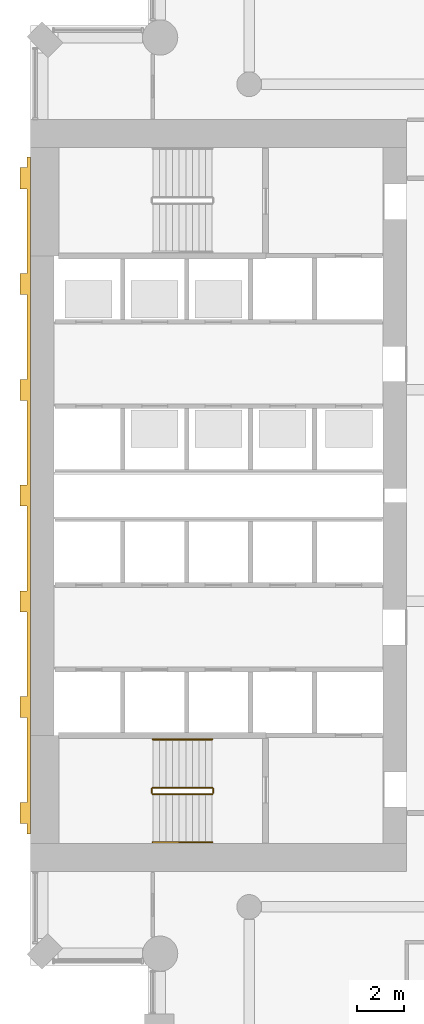
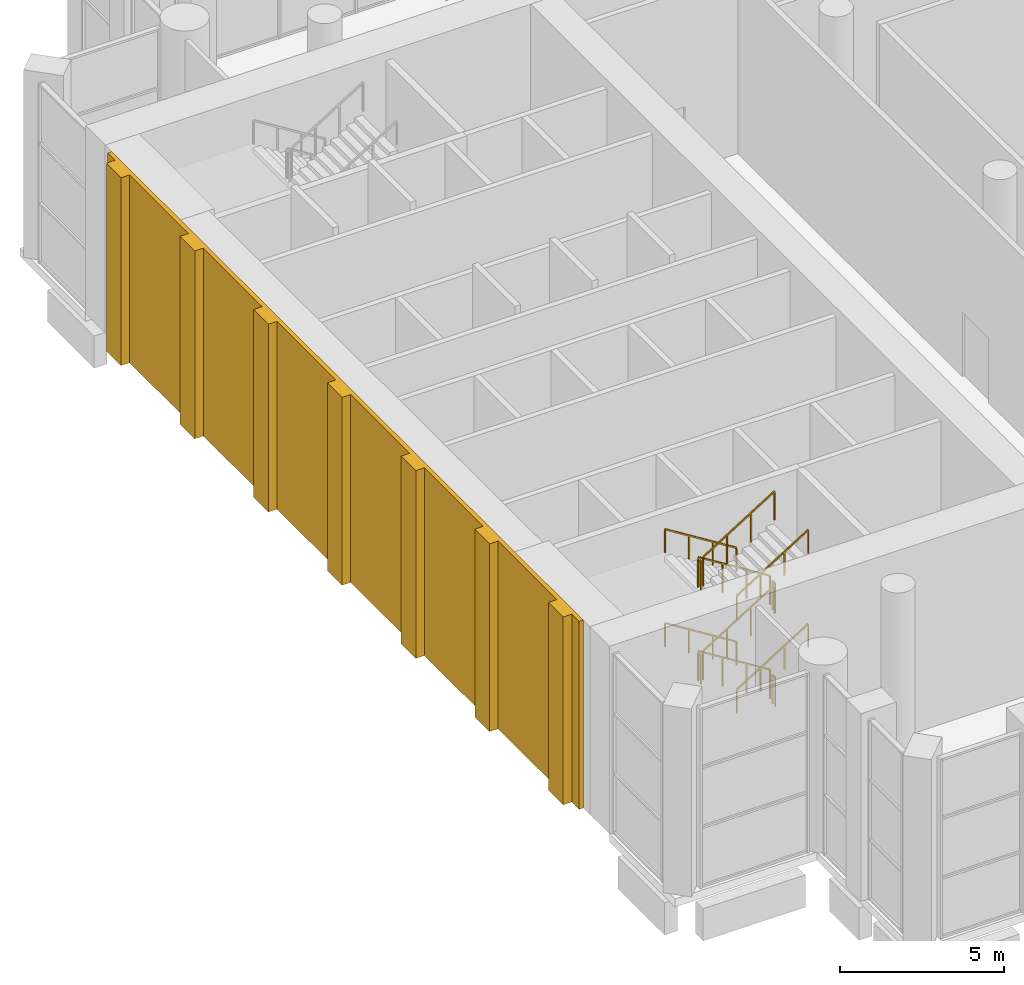
# One storey, part 18 of 22: 12 railings, 1 covering.
"""IFC4 building model written with IfcOpenShell, lengths in metres."""

from ifc_helpers import new_model, si_unit, direction, frame, origin, origin_2d, place, context, subcontext, project, spatial, polyline, rectangle, outline, extrude, material, layer, layer_set, type_object, element, save


model = new_model("IFC4")

# Units and contexts
model_context = context("Model", 3, precision=1e-05, world=origin(), true_north=direction((0.0, 1.0)))
body_context = subcontext(model_context, "Body", "Model", "MODEL_VIEW")
ifc_project = project(units=[si_unit("LENGTHUNIT", "METRE"), si_unit("AREAUNIT", "SQUARE_METRE"), si_unit("VOLUMEUNIT", "CUBIC_METRE"), si_unit("PLANEANGLEUNIT", "RADIAN"), si_unit("MASSUNIT", "GRAM", prefix="KILO")], contexts=[model_context])

# Site, building, storey
site_placement = place(None, origin())
site = spatial("IfcSite", under=ifc_project, at=site_placement, CompositionType="ELEMENT")
building_placement = place(site_placement, origin())
building = spatial("IfcBuilding", under=site, at=building_placement, Name="Cypress Arch Tower", CompositionType="ELEMENT")
storey_placement = place(building_placement, frame((0.0, 0.0, 145.5)))
storey = spatial("IfcBuildingStorey", under=building, at=storey_placement, Name="L32", CompositionType="ELEMENT", Elevation=145.5)

# Railings
ifc_material_1 = material(Name="Black powder-coated steel square bar 48 mm", Category="steel")
railing_type_1 = type_object("IfcRailingType", Name="Stair handrail HR1", PredefinedType="HANDRAIL", material=ifc_material_1)
railing_1_placement = place(storey_placement, frame((-22.27490234375, -10.375, 0.175048828125)))
element("IfcRailing", 1, at=railing_1_placement, inside=storey, type_object=railing_type_1, Name="L32 A stair handrail 1", PredefinedType="HANDRAIL", context=body_context, shape_type="SweptSolid", body=[
    extrude(rectangle(XDim=0.048095703125, YDim=0.048095703125, at=origin_2d()), frame((0.0, 0.0, 0.8759765625), z_axis=(-0.848007534815, 0.0, 0.529984170421), x_axis=(0.0, -1.0, 0.0)), (0.0, 0.0, 1.0), 2.9716796875),
    extrude(rectangle(XDim=0.0419921875, YDim=0.0419921875, at=origin_2d()), origin(), (0.0, 0.0, 1.0), 0.851806640625),
    extrude(rectangle(XDim=0.0419921875, YDim=0.0419921875, at=origin_2d()), frame((-0.840087890625, 0.0, 0.52490234375)), (0.0, 0.0, 1.0), 0.851806640625),
    extrude(rectangle(XDim=0.0419921875, YDim=0.0419921875, at=origin_2d()), frame((-1.679931640625, 0.0, 1.050048828125)), (0.0, 0.0, 1.0), 0.851806640625),
    extrude(rectangle(XDim=0.0419921875, YDim=0.0419921875, at=origin_2d()), frame((-2.52001953125, 0.0, 1.574951171875)), (0.0, 0.0, 1.0), 0.851806640625),
])
railing_2_placement = place(storey_placement, frame((-24.794921875, -14.75, 1.925048828125)))
element("IfcRailing", 2, at=railing_2_placement, inside=storey, type_object=railing_type_1, Name="L32 A stair handrail 2", PredefinedType="HANDRAIL", context=body_context, shape_type="SweptSolid", body=[
    extrude(rectangle(XDim=0.048095703125, YDim=0.048095703125, at=origin_2d()), frame((0.0, 0.0, 0.8759765625), z_axis=(0.848007534815, 0.0, 0.529984170421), x_axis=(0.0, 1.0, 0.0)), (0.0, 0.0, 1.0), 2.9716796875),
    extrude(rectangle(XDim=0.0419921875, YDim=0.0419921875, at=origin_2d()), origin(), (0.0, 0.0, 1.0), 0.851806640625),
    extrude(rectangle(XDim=0.0419921875, YDim=0.0419921875, at=origin_2d()), frame((0.840087890625, 0.0, 0.52490234375)), (0.0, 0.0, 1.0), 0.851806640625),
    extrude(rectangle(XDim=0.0419921875, YDim=0.0419921875, at=origin_2d()), frame((1.679931640625, 0.0, 1.050048828125)), (0.0, 0.0, 1.0), 0.851806640625),
    extrude(rectangle(XDim=0.0419921875, YDim=0.0419921875, at=origin_2d()), frame((2.52001953125, 0.0, 1.574951171875)), (0.0, 0.0, 1.0), 0.851806640625),
])
railing_3_placement = place(storey_placement, frame((-22.27490234375, -10.375, 3.675048828125)))
element("IfcRailing", 3, at=railing_3_placement, inside=storey, type_object=railing_type_1, Name="L32 A stair handrail 3", PredefinedType="HANDRAIL", context=body_context, shape_type="SweptSolid", body=[
    extrude(rectangle(XDim=0.048095703125, YDim=0.048095703125, at=origin_2d()), frame((0.0, 0.0, 0.8759765625), z_axis=(-0.848007534815, 0.0, 0.529984170421), x_axis=(0.0, -1.0, 0.0)), (0.0, 0.0, 1.0), 2.9716796875),
    extrude(rectangle(XDim=0.0419921875, YDim=0.0419921875, at=origin_2d()), origin(), (0.0, 0.0, 1.0), 0.851806640625),
    extrude(rectangle(XDim=0.0419921875, YDim=0.0419921875, at=origin_2d()), frame((-0.840087890625, 0.0, 0.52490234375)), (0.0, 0.0, 1.0), 0.851806640625),
    extrude(rectangle(XDim=0.0419921875, YDim=0.0419921875, at=origin_2d()), frame((-1.679931640625, 0.0, 1.050048828125)), (0.0, 0.0, 1.0), 0.851806640625),
    extrude(rectangle(XDim=0.0419921875, YDim=0.0419921875, at=origin_2d()), frame((-2.52001953125, 0.0, 1.574951171875)), (0.0, 0.0, 1.0), 0.851806640625),
])
railing_4_placement = place(storey_placement, frame((-24.794921875, -14.75, 5.425048828125)))
element("IfcRailing", 4, at=railing_4_placement, inside=storey, type_object=railing_type_1, Name="L32 A stair handrail 4", PredefinedType="HANDRAIL", context=body_context, shape_type="SweptSolid", body=[
    extrude(rectangle(XDim=0.048095703125, YDim=0.048095703125, at=origin_2d()), frame((0.0, 0.0, 0.8759765625), z_axis=(0.848007534815, 0.0, 0.529984170421), x_axis=(0.0, 1.0, 0.0)), (0.0, 0.0, 1.0), 2.9716796875),
    extrude(rectangle(XDim=0.0419921875, YDim=0.0419921875, at=origin_2d()), origin(), (0.0, 0.0, 1.0), 0.851806640625),
    extrude(rectangle(XDim=0.0419921875, YDim=0.0419921875, at=origin_2d()), frame((0.840087890625, 0.0, 0.52490234375)), (0.0, 0.0, 1.0), 0.851806640625),
    extrude(rectangle(XDim=0.0419921875, YDim=0.0419921875, at=origin_2d()), frame((1.679931640625, 0.0, 1.050048828125)), (0.0, 0.0, 1.0), 0.851806640625),
    extrude(rectangle(XDim=0.0419921875, YDim=0.0419921875, at=origin_2d()), frame((2.52001953125, 0.0, 1.574951171875)), (0.0, 0.0, 1.0), 0.851806640625),
])
ifc_material_2 = material(Name="Black powder-coated steel balusters", Category="steel")
railing_type_2 = type_object("IfcRailingType", Name="Stair well guard G1", PredefinedType="GUARDRAIL", material=ifc_material_2)
railing_5_placement = place(storey_placement, frame((-22.27490234375, -12.425048828125, 0.175048828125)))
element("IfcRailing", 5, at=railing_5_placement, inside=storey, type_object=railing_type_2, Name="L32 A stair guard 1", PredefinedType="GUARDRAIL", context=body_context, shape_type="SweptSolid", body=[
    extrude(rectangle(XDim=0.048095703125, YDim=0.048095703125, at=origin_2d()), frame((0.0, 0.0, 1.076171875), z_axis=(-0.848007534815, 0.0, 0.529984170421), x_axis=(0.0, -1.0, 0.0)), (0.0, 0.0, 1.0), 2.9716796875),
    extrude(rectangle(XDim=0.0419921875, YDim=0.0419921875, at=origin_2d()), origin(), (0.0, 0.0, 1.0), 1.052001953125),
    extrude(rectangle(XDim=0.0419921875, YDim=0.0419921875, at=origin_2d()), frame((-0.840087890625, 0.0, 0.52490234375)), (0.0, 0.0, 1.0), 1.052001953125),
    extrude(rectangle(XDim=0.0419921875, YDim=0.0419921875, at=origin_2d()), frame((-1.679931640625, 0.0, 1.050048828125)), (0.0, 0.0, 1.0), 1.052001953125),
    extrude(rectangle(XDim=0.0419921875, YDim=0.0419921875, at=origin_2d()), frame((-2.52001953125, 0.0, 1.574951171875)), (0.0, 0.0, 1.0), 1.052001953125),
])
railing_6_placement = place(storey_placement, frame((-24.844970703125, -12.47509765625, 1.75)))
element("IfcRailing", 6, at=railing_6_placement, inside=storey, type_object=railing_type_2, Name="L32 A stair guard 2", PredefinedType="GUARDRAIL", context=body_context, shape_type="SweptSolid", body=[
    extrude(rectangle(XDim=0.048095703125, YDim=0.048095703125, at=origin_2d()), frame((0.0, 0.0, 1.076171875), z_axis=(0.0, -1.0, 0.0), x_axis=(1.0, 0.0, 0.0)), (0.0, 0.0, 1.0), 0.1748046875),
    extrude(rectangle(XDim=0.0419921875, YDim=0.0419921875, at=origin_2d()), origin(), (0.0, 0.0, 1.0), 1.052001953125),
    extrude(rectangle(XDim=0.0419921875, YDim=0.0419921875, at=origin_2d()), frame((0.0, -0.1748046875, 0.0)), (0.0, 0.0, 1.0), 1.052001953125),
])
railing_7_placement = place(storey_placement, frame((-24.794921875, -12.699951171875, 1.925048828125)))
element("IfcRailing", 7, at=railing_7_placement, inside=storey, type_object=railing_type_2, Name="L32 A stair guard 3", PredefinedType="GUARDRAIL", context=body_context, shape_type="SweptSolid", body=[
    extrude(rectangle(XDim=0.048095703125, YDim=0.048095703125, at=origin_2d()), frame((0.0, 0.0, 1.076171875), z_axis=(0.848007534815, 0.0, 0.529984170421), x_axis=(0.0, 1.0, 0.0)), (0.0, 0.0, 1.0), 2.9716796875),
    extrude(rectangle(XDim=0.0419921875, YDim=0.0419921875, at=origin_2d()), origin(), (0.0, 0.0, 1.0), 1.052001953125),
    extrude(rectangle(XDim=0.0419921875, YDim=0.0419921875, at=origin_2d()), frame((0.840087890625, 0.0, 0.52490234375)), (0.0, 0.0, 1.0), 1.052001953125),
    extrude(rectangle(XDim=0.0419921875, YDim=0.0419921875, at=origin_2d()), frame((1.679931640625, 0.0, 1.050048828125)), (0.0, 0.0, 1.0), 1.052001953125),
    extrude(rectangle(XDim=0.0419921875, YDim=0.0419921875, at=origin_2d()), frame((2.52001953125, 0.0, 1.574951171875)), (0.0, 0.0, 1.0), 1.052001953125),
])
railing_8_placement = place(storey_placement, frame((-22.22509765625, -12.47509765625, 3.5)))
element("IfcRailing", 8, at=railing_8_placement, inside=storey, type_object=railing_type_2, Name="L32 A stair guard 4", PredefinedType="GUARDRAIL", context=body_context, shape_type="SweptSolid", body=[
    extrude(rectangle(XDim=0.048095703125, YDim=0.048095703125, at=origin_2d()), frame((0.0, 0.0, 1.076171875), z_axis=(0.0, -1.0, 0.0), x_axis=(1.0, 0.0, 0.0)), (0.0, 0.0, 1.0), 0.1748046875),
    extrude(rectangle(XDim=0.0419921875, YDim=0.0419921875, at=origin_2d()), origin(), (0.0, 0.0, 1.0), 1.052001953125),
    extrude(rectangle(XDim=0.0419921875, YDim=0.0419921875, at=origin_2d()), frame((0.0, -0.1748046875, 0.0)), (0.0, 0.0, 1.0), 1.052001953125),
])
railing_9_placement = place(storey_placement, frame((-22.27490234375, -12.425048828125, 3.675048828125)))
element("IfcRailing", 9, at=railing_9_placement, inside=storey, type_object=railing_type_2, Name="L32 A stair guard 5", PredefinedType="GUARDRAIL", context=body_context, shape_type="SweptSolid", body=[
    extrude(rectangle(XDim=0.048095703125, YDim=0.048095703125, at=origin_2d()), frame((0.0, 0.0, 1.076171875), z_axis=(-0.848007534815, 0.0, 0.529984170421), x_axis=(0.0, -1.0, 0.0)), (0.0, 0.0, 1.0), 2.9716796875),
    extrude(rectangle(XDim=0.0419921875, YDim=0.0419921875, at=origin_2d()), origin(), (0.0, 0.0, 1.0), 1.052001953125),
    extrude(rectangle(XDim=0.0419921875, YDim=0.0419921875, at=origin_2d()), frame((-0.840087890625, 0.0, 0.52490234375)), (0.0, 0.0, 1.0), 1.052001953125),
    extrude(rectangle(XDim=0.0419921875, YDim=0.0419921875, at=origin_2d()), frame((-1.679931640625, 0.0, 1.050048828125)), (0.0, 0.0, 1.0), 1.052001953125),
    extrude(rectangle(XDim=0.0419921875, YDim=0.0419921875, at=origin_2d()), frame((-2.52001953125, 0.0, 1.574951171875)), (0.0, 0.0, 1.0), 1.052001953125),
])
railing_10_placement = place(storey_placement, frame((-24.844970703125, -12.47509765625, 5.25)))
element("IfcRailing", 10, at=railing_10_placement, inside=storey, type_object=railing_type_2, Name="L32 A stair guard 6", PredefinedType="GUARDRAIL", context=body_context, shape_type="SweptSolid", body=[
    extrude(rectangle(XDim=0.048095703125, YDim=0.048095703125, at=origin_2d()), frame((0.0, 0.0, 1.076171875), z_axis=(0.0, -1.0, 0.0), x_axis=(1.0, 0.0, 0.0)), (0.0, 0.0, 1.0), 0.1748046875),
    extrude(rectangle(XDim=0.0419921875, YDim=0.0419921875, at=origin_2d()), origin(), (0.0, 0.0, 1.0), 1.052001953125),
    extrude(rectangle(XDim=0.0419921875, YDim=0.0419921875, at=origin_2d()), frame((0.0, -0.1748046875, 0.0)), (0.0, 0.0, 1.0), 1.052001953125),
])
railing_11_placement = place(storey_placement, frame((-24.794921875, -12.699951171875, 5.425048828125)))
element("IfcRailing", 11, at=railing_11_placement, inside=storey, type_object=railing_type_2, Name="L32 A stair guard 7", PredefinedType="GUARDRAIL", context=body_context, shape_type="SweptSolid", body=[
    extrude(rectangle(XDim=0.048095703125, YDim=0.048095703125, at=origin_2d()), frame((0.0, 0.0, 1.076171875), z_axis=(0.848007534815, 0.0, 0.529984170421), x_axis=(0.0, 1.0, 0.0)), (0.0, 0.0, 1.0), 2.9716796875),
    extrude(rectangle(XDim=0.0419921875, YDim=0.0419921875, at=origin_2d()), origin(), (0.0, 0.0, 1.0), 1.052001953125),
    extrude(rectangle(XDim=0.0419921875, YDim=0.0419921875, at=origin_2d()), frame((0.840087890625, 0.0, 0.52490234375)), (0.0, 0.0, 1.0), 1.052001953125),
    extrude(rectangle(XDim=0.0419921875, YDim=0.0419921875, at=origin_2d()), frame((1.679931640625, 0.0, 1.050048828125)), (0.0, 0.0, 1.0), 1.052001953125),
    extrude(rectangle(XDim=0.0419921875, YDim=0.0419921875, at=origin_2d()), frame((2.52001953125, 0.0, 1.574951171875)), (0.0, 0.0, 1.0), 1.052001953125),
])
railing_12_placement = place(storey_placement, frame((-22.22509765625, -12.47509765625, 0.0)))
element("IfcRailing", 12, at=railing_12_placement, inside=storey, type_object=railing_type_2, Name="L32 A stair guard 8", PredefinedType="GUARDRAIL", context=body_context, shape_type="SweptSolid", body=[
    extrude(rectangle(XDim=0.048095703125, YDim=0.048095703125, at=origin_2d()), frame((0.0, 0.0, 1.076171875), z_axis=(0.0, -1.0, 0.0), x_axis=(1.0, 0.0, 0.0)), (0.0, 0.0, 1.0), 0.1748046875),
    extrude(rectangle(XDim=0.0419921875, YDim=0.0419921875, at=origin_2d()), origin(), (0.0, 0.0, 1.0), 1.052001953125),
    extrude(rectangle(XDim=0.0419921875, YDim=0.0419921875, at=origin_2d()), frame((0.0, -0.1748046875, 0.0)), (0.0, 0.0, 1.0), 1.052001953125),
])

# Covering
ifc_material_3 = material(Name="Brick (red buff blend)", Category="masonry")
ifc_layer = layer(ifc_material_3, 0.449951171875)
ifc_layer_set = layer_set([ifc_layer], Name="West face brick piers WP450")
covering_type = type_object("IfcCoveringType", Name="West face brick piers WP450", PredefinedType="CLADDING", material=ifc_layer_set)
covering_placement = place(storey_placement, origin())
element("IfcCovering", 13, at=covering_placement, inside=storey, type_object=covering_type, Name="West face brick piers L32", PredefinedType="CLADDING", context=body_context, shape_type="SweptSolid", body=[
    extrude(outline(polyline([(-30.14990234375, -13.050048828125), (-30.14990234375, -9.449951171875), (-30.449951171875, -9.449951171875), (-30.449951171875, -8.550048828125), (-30.14990234375, -8.550048828125), (-30.14990234375, -4.949951171875), (-30.449951171875, -4.949951171875), (-30.449951171875, -4.050048828125), (-30.14990234375, -4.050048828125), (-30.14990234375, -0.449951171875), (-30.449951171875, -0.449951171875), (-30.449951171875, 0.449951171875), (-30.14990234375, 0.449951171875), (-30.14990234375, 4.050048828125), (-30.449951171875, 4.050048828125), (-30.449951171875, 4.949951171875), (-30.14990234375, 4.949951171875), (-30.14990234375, 8.550048828125), (-30.449951171875, 8.550048828125), (-30.449951171875, 9.449951171875), (-30.14990234375, 9.449951171875), (-30.14990234375, 13.050048828125), (-30.449951171875, 13.050048828125), (-30.449951171875, 13.949951171875), (-30.14990234375, 13.949951171875), (-30.14990234375, 14.39990234375), (-30.0, 14.39990234375), (-30.0, -14.39990234375), (-30.14990234375, -14.39990234375), (-30.14990234375, -13.949951171875), (-30.449951171875, -13.949951171875), (-30.449951171875, -13.050048828125), (-30.14990234375, -13.050048828125)])), origin(), (0.0, 0.0, 1.0), 7.0),
])

save(model, "model.ifc")
